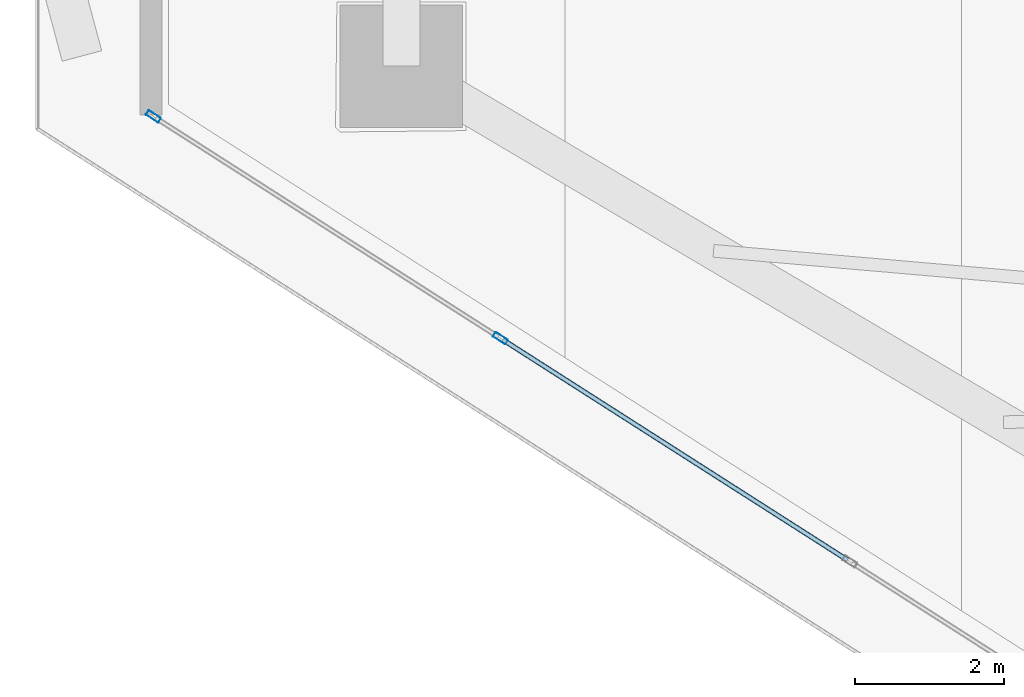
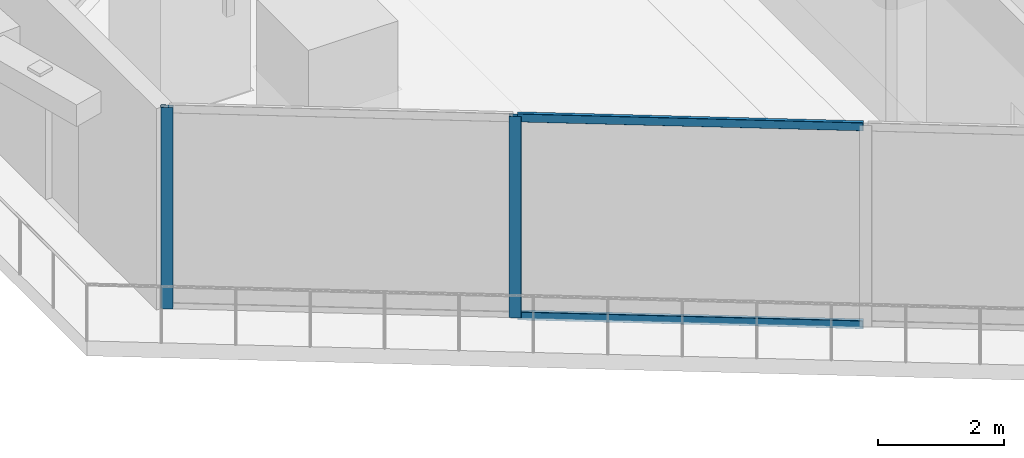
# One storey, part 6 of 36: 4 members, 1 element without a shape of its own.
"""IFC4 building model written with IfcOpenShell, lengths in metres."""

import ifcopenshell
import ifcopenshell.guid

model = None  # the IFC model being written
_history = None  # IfcOwnerHistory: only IFC2X3 demands one
_inside = {}  # id of a spatial element -> (the spatial element, [elements in it])
_under = {}  # id of a project, library or spatial element -> (it, [spatial elements below it])
_declared = {}  # id of a project -> (the project, [libraries it declares])
_typed = {}  # id of a type object -> (the type object, [elements of that type])
_made_of = {}  # id of a material, layer set ... -> (it, [elements and type objects made of it])


def new_model(schema):
    """Start an empty IFC model of exactly this schema.

    Asked for "IFC4X3", IfcOpenShell would pick the latest addendum, in which some entities
    have other attributes; the version numbers below select the first issue.
    IFC2X3 requires an IfcOwnerHistory on every rooted entity: one is made here for all.
    """
    global model, _history
    if schema == "IFC4X3":
        model = ifcopenshell.file(schema_version=(4, 3, 0, 0))
    else:
        model = ifcopenshell.file(schema=schema)
    _inside.clear()
    _under.clear()
    _declared.clear()
    _typed.clear()
    _made_of.clear()
    _history = None
    if model.schema == "IFC2X3":
        org = make("IfcOrganization", Name="unknown")
        user = make(
            "IfcPersonAndOrganization",
            ThePerson=make("IfcPerson", FamilyName="unknown"),
            TheOrganization=org,
        )
        app = make(
            "IfcApplication",
            ApplicationDeveloper=org,
            Version="unknown",
            ApplicationFullName="unknown",
            ApplicationIdentifier="unknown",
        )
        _history = make(
            "IfcOwnerHistory",
            OwningUser=user,
            OwningApplication=app,
            ChangeAction="ADDED",
            CreationDate=0,
        )
    return model


def make(cls, **values):
    """One entity of the class cls with the attributes given. An attribute that is None is left unset."""
    return model.create_entity(
        cls, **{name: value for name, value in values.items() if value is not None}
    )


def rooted(cls, **values):
    """An entity with a GlobalId (a new one), such as an element, a storey or a relation."""
    return make(cls, GlobalId=ifcopenshell.guid.new(), OwnerHistory=_history, **values)


def si_unit(unit_type, name, prefix=None):
    """IfcSIUnit, for example si_unit("LENGTHUNIT", "METRE", prefix="MILLI")."""
    return make("IfcSIUnit", UnitType=unit_type, Prefix=prefix, Name=name)


def assignment(units):
    """IfcUnitAssignment: the units of a project."""
    return None if units is None else make("IfcUnitAssignment", Units=units)


def point(xyz):
    """IfcCartesianPoint."""
    return None if xyz is None else make("IfcCartesianPoint", Coordinates=xyz)


def direction(xyz):
    """IfcDirection."""
    return None if xyz is None else make("IfcDirection", DirectionRatios=xyz)


def frame(location, z_axis=None, x_axis=None):
    """IfcAxis2Placement3D, a coordinate frame: its origin and axes. An axis left out is left unset."""
    return make(
        "IfcAxis2Placement3D",
        Location=point(location),
        Axis=direction(z_axis),
        RefDirection=direction(x_axis),
    )


def frame_2d(location, x_axis=None):
    """IfcAxis2Placement2D, a coordinate frame in the plane: its origin and x axis."""
    return make(
        "IfcAxis2Placement2D", Location=point(location), RefDirection=direction(x_axis)
    )


def origin():
    """The frame at (0, 0, 0) with its axes left unset."""
    return frame((0.0, 0.0, 0.0))


def origin_2d():
    """The frame at (0, 0) in the plane with its x axis left unset."""
    return frame_2d((0.0, 0.0))


def place(relative_to, where):
    """IfcLocalPlacement: puts the frame where relative to a parent placement (None: the world)."""
    return make(
        "IfcLocalPlacement", PlacementRelTo=relative_to, RelativePlacement=where
    )


def context(
    kind, dimensions, precision=None, world=None, true_north=None, identifier=None
):
    """IfcGeometricRepresentationContext, for example the 3D "Model" context."""
    return make(
        "IfcGeometricRepresentationContext",
        ContextIdentifier=identifier,
        ContextType=kind,
        CoordinateSpaceDimension=dimensions,
        Precision=precision,
        WorldCoordinateSystem=world,
        TrueNorth=true_north,
    )


def subcontext(parent, identifier, kind, view, scale=None):
    """IfcGeometricRepresentationSubContext, for example "Body" below "Model"."""
    return make(
        "IfcGeometricRepresentationSubContext",
        ContextIdentifier=identifier,
        ContextType=kind,
        ParentContext=parent,
        TargetScale=scale,
        TargetView=view,
    )


def project(units=None, contexts=None):
    """IfcProject with its units and contexts."""
    return rooted(
        "IfcProject",
        Name="project",
        RepresentationContexts=contexts,
        UnitsInContext=assignment(units),
    )


def spatial(cls, under=None, at=None, **own):
    """A site, building, storey or space (cls), placed at a placement, below another one or the project."""
    s = rooted(cls, ObjectPlacement=at, **own)
    if under is not None:
        _under.setdefault(under.id(), (under, []))[1].append(s)
    return s


def profile(cls, at=None, kind="AREA", **sizes):
    """A parametric profile (cls). Its sizes go by their IFC names, for example OverallWidth=200.0."""
    return make(cls, ProfileType=kind, Position=at, **sizes)


def hollow_rectangle(**sizes):
    """IfcRectangleHollowProfileDef."""
    return profile("IfcRectangleHollowProfileDef", **sizes)


def extrude(swept, where, along, depth):
    """IfcExtrudedAreaSolid: the profile swept, set in the frame where, extruded along a direction by depth."""
    return make(
        "IfcExtrudedAreaSolid",
        SweptArea=swept,
        Position=where,
        ExtrudedDirection=direction(along),
        Depth=depth,
    )


def shape(context_of_items, identifier, shape_type, items):
    """IfcShapeRepresentation: the items that make up one representation, for example the "Body"."""
    return make(
        "IfcShapeRepresentation",
        ContextOfItems=context_of_items,
        RepresentationIdentifier=identifier,
        RepresentationType=shape_type,
        Items=items,
    )


def material(Name=None, Category=None):
    """IfcMaterial."""
    return make("IfcMaterial", Name=Name, Category=Category)


def layer(
    of_material, thickness, ventilated=None, Name=None, Category=None, Priority=None
):
    """IfcMaterialLayer: one layer of a wall or slab, of a material (None: an air gap)."""
    return make(
        "IfcMaterialLayer",
        Material=of_material,
        LayerThickness=thickness,
        IsVentilated=ventilated,
        Name=Name,
        Category=Category,
        Priority=Priority,
    )


def layer_set(layers, Name=None):
    """IfcMaterialLayerSet."""
    return make("IfcMaterialLayerSet", MaterialLayers=layers, LayerSetName=Name)


def material_profile(
    of_material, cross_section, Name=None, Category=None, Priority=None
):
    """IfcMaterialProfile: a cross section and its material."""
    return make(
        "IfcMaterialProfile",
        Name=Name,
        Material=of_material,
        Profile=cross_section,
        Priority=Priority,
        Category=Category,
    )


def profile_set(profiles, Name=None, composite=None):
    """IfcMaterialProfileSet."""
    return make(
        "IfcMaterialProfileSet",
        Name=Name,
        MaterialProfiles=profiles,
        CompositeProfile=composite,
    )


def made_of(thing, what):
    """Note that an element or type object is made of a material, layer set ...; save() writes the relation."""
    if what is not None:
        _made_of.setdefault(what.id(), (what, []))[1].append(thing)
    return thing


def type_object(cls, material=None, **own):
    """A type object (cls), such as IfcWallType, which elements share."""
    return made_of(rooted(cls, **own), material)


def element(
    cls,
    number,
    at=None,
    inside=None,
    cuts=None,
    type_object=None,
    material=None,
    context=None,
    identifier="Body",
    shape_type=None,
    held_by="IfcProductDefinitionShape",
    body=None,
    shapes=None,
    **own,
):
    """One element of the class cls, such as IfcWall. Its Tag is "e" and its number.

    at: its placement. inside: the storey or other place that contains it. cuts: it is an
    opening in that element (IfcRelVoidsElement). A single representation is given by context,
    identifier, shape_type and body (its items); several are given by shapes. held_by: the class
    of the entity that holds the representations. save() writes the other relations.
    """
    e = rooted(cls, Tag="e%d" % number, ObjectPlacement=at, **own)
    if body is not None:
        shapes = [shape(context, identifier, shape_type, body)]
    if shapes is not None:
        e.Representation = make(held_by, Representations=shapes)
    if inside is not None:
        _inside.setdefault(inside.id(), (inside, []))[1].append(e)
    if cuts is not None:
        rooted(
            "IfcRelVoidsElement", RelatingBuildingElement=cuts, RelatedOpeningElement=e
        )
    if type_object is not None:
        _typed.setdefault(type_object.id(), (type_object, []))[1].append(e)
    return made_of(e, material)


def aggregate(whole, parts):
    """IfcRelAggregates: a whole, such as a stair, and the parts it consists of."""
    return rooted("IfcRelAggregates", RelatingObject=whole, RelatedObjects=parts)


def save(model, path):
    """Write the relations noted so far, then the file.

    IfcRelAggregates (storeys below a building ...), IfcRelContainedInSpatialStructure (elements
    in a storey), IfcRelDefinesByType, IfcRelAssociatesMaterial and IfcRelDeclares: one each for
    every whole, place, type object, material and project.
    """
    for whole, parts in _under.values():
        aggregate(whole, parts)
    for where, things in _inside.values():
        rooted(
            "IfcRelContainedInSpatialStructure",
            RelatedElements=things,
            RelatingStructure=where,
        )
    for kind, things in _typed.values():
        rooted("IfcRelDefinesByType", RelatedObjects=things, RelatingType=kind)
    for what, things in _made_of.values():
        rooted("IfcRelAssociatesMaterial", RelatedObjects=things, RelatingMaterial=what)
    for by, libraries in _declared.values():
        rooted("IfcRelDeclares", RelatingContext=by, RelatedDefinitions=libraries)
    model.write(path)


model = new_model("IFC4")

# Units and contexts
model_context = context("Model", 3, precision=1e-05, world=origin(), true_north=direction((0.0, 1.0)))
body_context = subcontext(model_context, "Body", "Model", "MODEL_VIEW")
ifc_project = project(units=[si_unit("LENGTHUNIT", "METRE"), si_unit("AREAUNIT", "SQUARE_METRE"), si_unit("VOLUMEUNIT", "CUBIC_METRE"), si_unit("PLANEANGLEUNIT", "RADIAN"), si_unit("MASSUNIT", "GRAM", prefix="KILO")], contexts=[model_context])

# Site, building, storey
site_placement = place(None, origin())
site = spatial("IfcSite", under=ifc_project, at=site_placement, CompositionType="ELEMENT")
building_placement = place(site_placement, origin())
building = spatial("IfcBuilding", under=site, at=building_placement, Name="Qorvath Tower", CompositionType="ELEMENT")
storey_placement = place(building_placement, frame((0.0, 0.0, 272.39990234375)))
storey = spatial("IfcBuildingStorey", under=building, at=storey_placement, Name="L63", CompositionType="ELEMENT", Elevation=272.39990234375)

# Curtain wall, members
ifc_material_1 = material(Name="Anodised aluminium and triple low-E glass", Category="aluminium")
ifc_layer = layer(ifc_material_1, 0.179931640625)
ifc_layer_set = layer_set([ifc_layer], Name="CW-SYS-4")
curtain_wall_type = type_object("IfcCurtainWallType", Name="CW-SYS-4", PredefinedType="NOTDEFINED", material=ifc_layer_set)
curtain_wall_placement = place(storey_placement, origin())
curtain_wall = element("IfcCurtainWall", 1, at=curtain_wall_placement, inside=storey, type_object=curtain_wall_type, Name="Curtain Wall CW-4 CW-T-L63-2.1", PredefinedType="NOTDEFINED")
ifc_material_2 = material(Name="Anodised aluminium 6063-T6", Category="aluminium")
ifc_material_profile_1 = material_profile(ifc_material_2, hollow_rectangle(XDim=0.074951171875, YDim=0.199951171875, WallThickness=0.00390625, InnerFilletRadius=0.00390625, OuterFilletRadius=0.008056640625, at=origin_2d()), Name="CWM 200x75")
ifc_profile_set_1 = profile_set([ifc_material_profile_1], Name="Anodised aluminium 6063-T6")
member_type_1 = type_object("IfcMemberType", Name="CWM-200", PredefinedType="MULLION", material=ifc_profile_set_1)
member_1_placement = place(storey_placement, frame((-50.87451171875, -3.026123046875, 0.0), z_axis=(0.0, 0.0, 1.0), x_axis=(0.538533509281, 0.842604094093, 0.0)))
member_1 = element("IfcMember", 2, at=member_1_placement, type_object=member_type_1, Name="CW-4 mullion 1", PredefinedType="MULLION", context=body_context, shape_type="SweptSolid", body=[
    extrude(hollow_rectangle(XDim=0.074951171875, YDim=0.199951171875, WallThickness=0.00390625, InnerFilletRadius=0.00390625, OuterFilletRadius=0.008056640625, at=origin_2d()), origin(), (0.0, 0.0, 1.0), 3.91015625),
])
member_2_placement = place(storey_placement, frame((-46.203125, -6.01171875, 0.0), z_axis=(0.0, 0.0, 1.0), x_axis=(0.538533509281, 0.842604094093, 0.0)))
member_2 = element("IfcMember", 3, at=member_2_placement, type_object=member_type_1, Name="CW-4 mullion 2", PredefinedType="MULLION", context=body_context, shape_type="SweptSolid", body=[
    extrude(hollow_rectangle(XDim=0.074951171875, YDim=0.199951171875, WallThickness=0.00390625, InnerFilletRadius=0.00390625, OuterFilletRadius=0.008056640625, at=origin_2d()), origin(), (0.0, 0.0, 1.0), 3.91015625),
])
ifc_material_3 = material(Name="Anodised aluminium 6063-T6", Category="aluminium")
ifc_material_profile_2 = material_profile(ifc_material_3, hollow_rectangle(XDim=0.06494140625, YDim=0.159912109375, WallThickness=0.00341796875, InnerFilletRadius=0.00341796875, OuterFilletRadius=0.007080078125, at=origin_2d()), Name="CWT 160x65")
ifc_profile_set_2 = profile_set([ifc_material_profile_2], Name="Anodised aluminium 6063-T6")
member_type_2 = type_object("IfcMemberType", Name="CWT-160", PredefinedType="USERDEFINED", material=ifc_profile_set_2)
member_3_placement = place(storey_placement, frame((-46.17138671875, -6.031982421875, 0.032470703125), z_axis=(0.842597346925, -0.538544065935, 0.0), x_axis=(0.538544065935, 0.842597346925, 0.0)))
member_3 = element("IfcMember", 4, at=member_3_placement, type_object=member_type_2, Name="CW-4 transom 2.1", ObjectType="TRANSOM", PredefinedType="USERDEFINED", context=body_context, shape_type="SweptSolid", body=[
    extrude(hollow_rectangle(XDim=0.06494140625, YDim=0.159912109375, WallThickness=0.00341796875, InnerFilletRadius=0.00341796875, OuterFilletRadius=0.007080078125, at=origin_2d()), origin(), (0.0, 0.0, 1.0), 5.506591796875),
])
member_4_placement = place(storey_placement, frame((-46.17138671875, -6.031982421875, 3.877685546875), z_axis=(0.842597346925, -0.538544065935, 0.0), x_axis=(0.538544065935, 0.842597346925, 0.0)))
member_4 = element("IfcMember", 5, at=member_4_placement, type_object=member_type_2, Name="CW-4 transom 2.2", ObjectType="TRANSOM", PredefinedType="USERDEFINED", context=body_context, shape_type="SweptSolid", body=[
    extrude(hollow_rectangle(XDim=0.06494140625, YDim=0.159912109375, WallThickness=0.00341796875, InnerFilletRadius=0.00341796875, OuterFilletRadius=0.007080078125, at=origin_2d()), origin(), (0.0, 0.0, 1.0), 5.506591796875),
])
aggregate(curtain_wall, [member_1, member_2, member_3, member_4])

save(model, "model.ifc")
